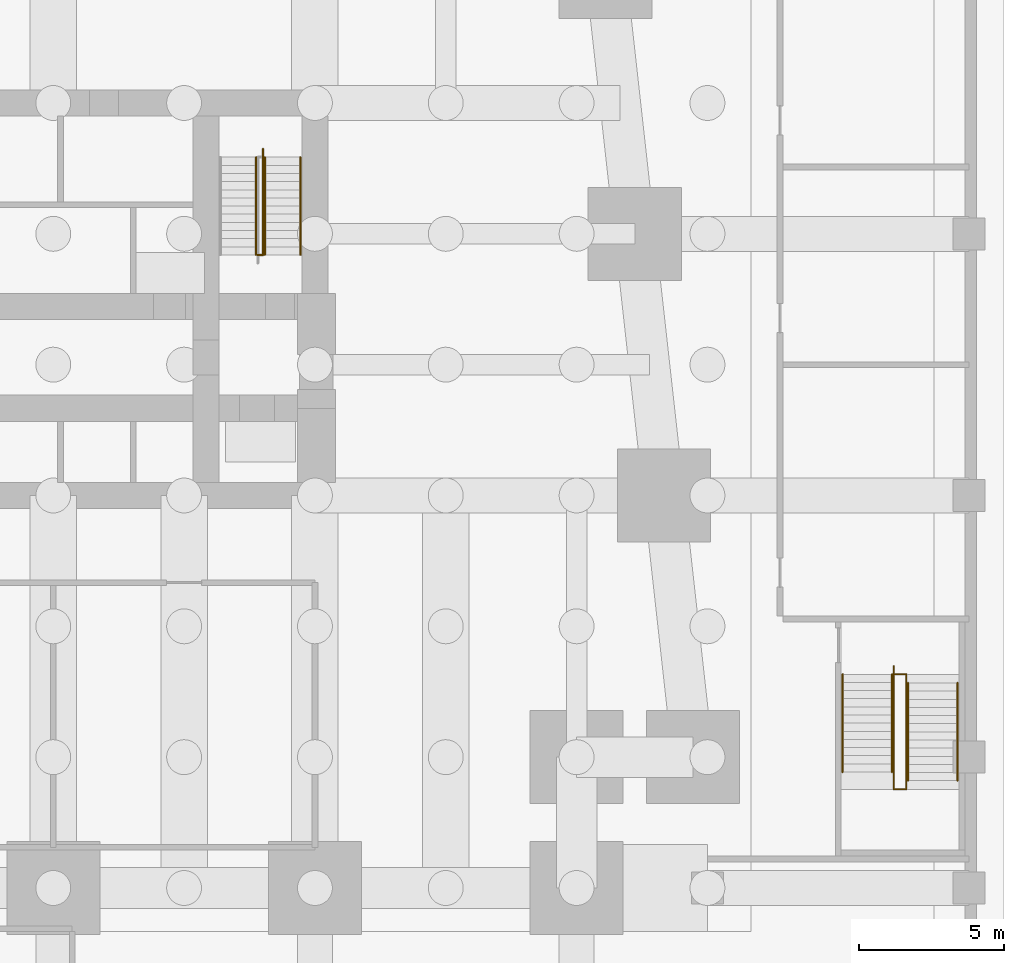
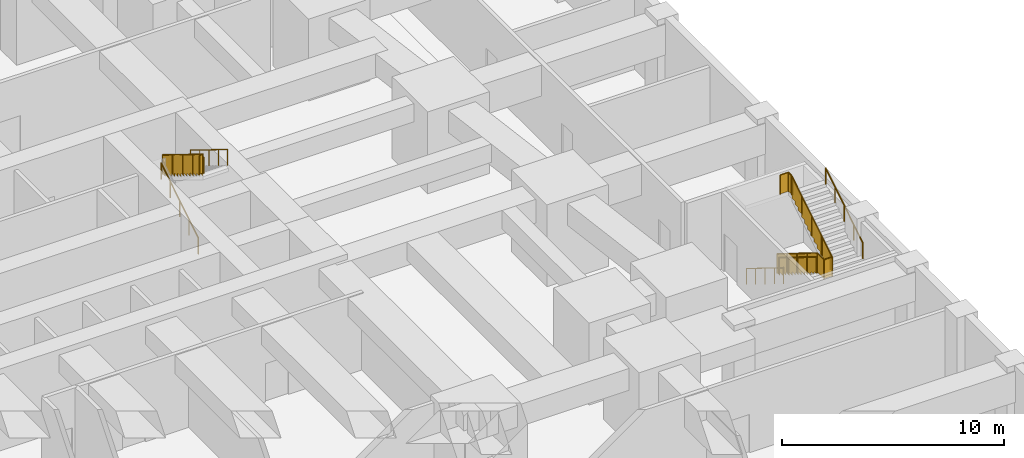
# One storey, part 8 of 9: 10 railings.
"""IFC4 building model written with IfcOpenShell, lengths in metres."""

from ifc_helpers import new_model, si_unit, direction, frame, origin, origin_2d, place, context, subcontext, project, spatial, polyline, circle, outline, extrude, material, type_object, element, save


model = new_model("IFC4")

# Units and contexts
model_context = context("Model", 3, precision=1e-05, world=origin(), true_north=direction((0.0, 1.0)))
body_context = subcontext(model_context, "Body", "Model", "MODEL_VIEW")
ifc_project = project(units=[si_unit("LENGTHUNIT", "METRE"), si_unit("AREAUNIT", "SQUARE_METRE"), si_unit("VOLUMEUNIT", "CUBIC_METRE"), si_unit("PLANEANGLEUNIT", "RADIAN"), si_unit("MASSUNIT", "GRAM", prefix="KILO")], contexts=[model_context])

# Site, building, storey
site_placement = place(None, origin())
site = spatial("IfcSite", under=ifc_project, at=site_placement, CompositionType="ELEMENT")
building_placement = place(site_placement, origin())
building = spatial("IfcBuilding", under=site, at=building_placement, Name="Kilele Tower Hotel", CompositionType="ELEMENT")
storey_placement = place(building_placement, frame((0.0, 0.0, -9.0)))
storey = spatial("IfcBuildingStorey", under=building, at=storey_placement, Name="B2", CompositionType="ELEMENT", Elevation=-9.0)

# Railings
ifc_material_1 = material(Name="Steel handrail", Category="steel")
railing_type_1 = type_object("IfcRailingType", Name="Handrail 900", PredefinedType="HANDRAIL", material=ifc_material_1)
railing_1_placement = place(storey_placement, frame((33.97509765625, 21.77490234375, 0.173095703125)))
element("IfcRailing", 1, at=railing_1_placement, inside=storey, type_object=railing_type_1, Name="Handrail ST2 flight 1", PredefinedType="HANDRAIL", context=body_context, shape_type="SweptSolid", body=[
    extrude(circle(Radius=0.02490234375, at=origin_2d()), frame((0.0, 0.0, 0.875), z_axis=(0.0, 0.850623216509, 0.525775754039), x_axis=(-1.0, 0.0, 0.0)), (0.0, 0.0, 1.0), 3.9501953125),
    extrude(circle(Radius=0.02001953125, at=origin_2d()), origin(), (0.0, 0.0, 1.0), 0.849853515625),
    extrude(circle(Radius=0.02001953125, at=origin_2d()), frame((0.0, 0.840087890625, 0.519287109375)), (0.0, 0.0, 1.0), 0.849853515625),
    extrude(circle(Radius=0.02001953125, at=origin_2d()), frame((0.0, 1.68017578125, 1.03857421875)), (0.0, 0.0, 1.0), 0.849853515625),
    extrude(circle(Radius=0.02001953125, at=origin_2d()), frame((0.0, 2.52001953125, 1.5576171875)), (0.0, 0.0, 1.0), 0.849853515625),
    extrude(circle(Radius=0.02001953125, at=origin_2d()), frame((0.0, 3.360107421875, 2.076904296875)), (0.0, 0.0, 1.0), 0.849853515625),
])
for number, where, name in (
    (2, (34.27490234375, 25.135009765625, 2.423095703125), "Handrail ST2 flight 2"),
    (3, (35.5, 25.135009765625, 2.423095703125), "Handrail ST2 flight 2"),
    (4, (54.14990234375, 7.35009765625, 0.173095703125), "Handrail ST5 flight 1"),
    (5, (55.85009765625, 7.35009765625, 0.173095703125), "Handrail ST5 flight 1"),
):
    element("IfcRailing", number, at=place(storey_placement, frame(where)), inside=storey, type_object=railing_type_1, Name=name, PredefinedType="HANDRAIL", context=body_context, shape_type="SweptSolid", body=[
        extrude(circle(Radius=0.02490234375, at=origin_2d()), frame((0.0, 0.0, 0.875), z_axis=(0.0, -0.850623216509, 0.525775754039), x_axis=(1.0, 0.0, 0.0)), (0.0, 0.0, 1.0), 3.9501953125),
        extrude(circle(Radius=0.02001953125, at=origin_2d()), origin(), (0.0, 0.0, 1.0), 0.849853515625),
        extrude(circle(Radius=0.02001953125, at=origin_2d()), frame((0.0, -0.840087890625, 0.519287109375)), (0.0, 0.0, 1.0), 0.849853515625),
        extrude(circle(Radius=0.02001953125, at=origin_2d()), frame((0.0, -1.68017578125, 1.03857421875)), (0.0, 0.0, 1.0), 0.849853515625),
        extrude(circle(Radius=0.02001953125, at=origin_2d()), frame((0.0, -2.52001953125, 1.5576171875)), (0.0, 0.0, 1.0), 0.849853515625),
        extrude(circle(Radius=0.02001953125, at=origin_2d()), frame((0.0, -3.360107421875, 2.076904296875)), (0.0, 0.0, 1.0), 0.849853515625),
    ])
for number, where, name in (
    (6, (56.39990234375, 3.68994140625, 2.423095703125), "Handrail ST5 flight 2"),
    (7, (58.10009765625, 3.68994140625, 2.423095703125), "Handrail ST5 flight 2"),
):
    element("IfcRailing", number, at=place(storey_placement, frame(where)), inside=storey, type_object=railing_type_1, Name=name, PredefinedType="HANDRAIL", context=body_context, shape_type="SweptSolid", body=[
        extrude(circle(Radius=0.02490234375, at=origin_2d()), frame((0.0, 0.0, 0.875), z_axis=(0.0, 0.850623216509, 0.525775754039), x_axis=(-1.0, 0.0, 0.0)), (0.0, 0.0, 1.0), 3.9501953125),
        extrude(circle(Radius=0.02001953125, at=origin_2d()), origin(), (0.0, 0.0, 1.0), 0.849853515625),
        extrude(circle(Radius=0.02001953125, at=origin_2d()), frame((0.0, 0.840087890625, 0.519287109375)), (0.0, 0.0, 1.0), 0.849853515625),
        extrude(circle(Radius=0.02001953125, at=origin_2d()), frame((0.0, 1.68017578125, 1.03857421875)), (0.0, 0.0, 1.0), 0.849853515625),
        extrude(circle(Radius=0.02001953125, at=origin_2d()), frame((0.0, 2.52001953125, 1.5576171875)), (0.0, 0.0, 1.0), 0.849853515625),
        extrude(circle(Radius=0.02001953125, at=origin_2d()), frame((0.0, 3.360107421875, 2.076904296875)), (0.0, 0.0, 1.0), 0.849853515625),
    ])
ifc_material_2 = material(Name="Steel guard", Category="steel")
railing_type_2 = type_object("IfcRailingType", Name="Stair guard 1100", PredefinedType="GUARDRAIL", material=ifc_material_2)
railing_2_placement = place(storey_placement, frame((34.215087890625, 25.4150390625, 2.25)))
element("IfcRailing", 8, at=railing_2_placement, inside=storey, type_object=railing_type_2, Name="Stair well guard ST2 flight 2", PredefinedType="GUARDRAIL", context=body_context, shape_type="SweptSolid", body=[
    extrude(circle(Radius=0.02490234375, at=origin_2d()), frame((0.0, 0.0, 1.0751953125), z_axis=(0.0, -0.850622404505, 0.525777067734), x_axis=(1.0, 0.0, 0.0)), (0.0, 0.0, 1.0), 4.279296875),
    extrude(circle(Radius=0.02490234375, at=origin_2d()), frame((0.0, -3.64013671875, 3.3251953125), z_axis=(-1.0, 0.0, 0.0), x_axis=(0.0, -1.0, 0.0)), (0.0, 0.0, 1.0), 0.18017578125),
    extrude(circle(Radius=0.02490234375, at=origin_2d()), origin(), (0.0, 0.0, 1.0), 1.050048828125),
    extrude(circle(Radius=0.02490234375, at=origin_2d()), frame((0.0, -0.91015625, 0.5625)), (0.0, 0.0, 1.0), 1.050048828125),
    extrude(circle(Radius=0.02490234375, at=origin_2d()), frame((0.0, -1.820068359375, 1.125)), (0.0, 0.0, 1.0), 1.050048828125),
    extrude(circle(Radius=0.02490234375, at=origin_2d()), frame((0.0, -2.72998046875, 1.6875)), (0.0, 0.0, 1.0), 1.050048828125),
    extrude(circle(Radius=0.02490234375, at=origin_2d()), frame((0.0, -3.64013671875, 2.25)), (0.0, 0.0, 1.0), 1.050048828125),
    extrude(circle(Radius=0.02490234375, at=origin_2d()), frame((-0.18017578125, -3.64013671875, 2.25)), (0.0, 0.0, 1.0), 1.050048828125),
    extrude(outline(polyline([(0.0, 0.030029296875), (0.25, 0.030029296875), (0.25, 0.203125), (0.530029296875, 0.203125), (0.530029296875, 0.376220703125), (0.81005859375, 0.376220703125), (0.81005859375, 0.54931640625), (1.090087890625, 0.54931640625), (1.090087890625, 0.722412109375), (1.3701171875, 0.722412109375), (1.3701171875, 0.8955078125), (1.650146484375, 0.8955078125), (1.650146484375, 1.068603515625), (1.929931640625, 1.068603515625), (1.929931640625, 1.241455078125), (2.2099609375, 1.241455078125), (2.2099609375, 1.41455078125), (2.489990234375, 1.41455078125), (2.489990234375, 1.587646484375), (2.77001953125, 1.587646484375), (2.77001953125, 1.7607421875), (3.050048828125, 1.7607421875), (3.050048828125, 1.933837890625), (3.330078125, 1.933837890625), (3.330078125, 2.10693359375), (3.610107421875, 2.10693359375), (3.610107421875, 2.280029296875), (3.627685546875, 2.280029296875), (3.627685546875, 3.287841796875), (0.0, 1.045654296875), (0.0, 0.030029296875)])), frame((0.005859375, 0.0, 0.0), z_axis=(-1.0, 0.0, 0.0), x_axis=(0.0, -1.0, 0.0)), (0.0, 0.0, 1.0), 0.011962890625),
    extrude(outline(polyline([(0.012451171875, 0.030029296875), (0.18017578125, 0.030029296875), (0.18017578125, 1.050048828125), (0.012451171875, 1.050048828125), (0.012451171875, 0.030029296875)])), frame((0.0, -3.64599609375, 2.25), z_axis=(0.0, 1.0, 0.0), x_axis=(-1.0, 0.0, 0.0)), (0.0, 0.0, 1.0), 0.011962890625),
])
railing_3_placement = place(storey_placement, frame((55.909912109375, 7.6298828125, 0.0)))
element("IfcRailing", 9, at=railing_3_placement, inside=storey, type_object=railing_type_2, Name="Stair well guard ST5 flight 1", PredefinedType="GUARDRAIL", context=body_context, shape_type="SweptSolid", body=[
    extrude(circle(Radius=0.02490234375, at=origin_2d()), frame((0.0, 0.0, 1.0751953125), z_axis=(0.0, -0.850606632239, 0.525802583857), x_axis=(1.0, 0.0, 0.0)), (0.0, 0.0, 1.0), 4.279052734375),
    extrude(circle(Radius=0.02490234375, at=origin_2d()), frame((0.0, -3.639892578125, 3.3251953125), z_axis=(0.0, -1.0, 0.0), x_axis=(1.0, 0.0, 0.0)), (0.0, 0.0, 1.0), 0.60009765625),
    extrude(circle(Radius=0.02490234375, at=origin_2d()), frame((0.0, -4.239990234375, 3.3251953125), z_axis=(1.0, 0.0, 0.0), x_axis=(0.0, 1.0, 0.0)), (0.0, 0.0, 1.0), 0.43017578125),
    extrude(circle(Radius=0.02490234375, at=origin_2d()), origin(), (0.0, 0.0, 1.0), 1.050048828125),
    extrude(circle(Radius=0.02490234375, at=origin_2d()), frame((0.0, -0.909912109375, 0.5625)), (0.0, 0.0, 1.0), 1.050048828125),
    extrude(circle(Radius=0.02490234375, at=origin_2d()), frame((0.0, -1.81982421875, 1.125)), (0.0, 0.0, 1.0), 1.050048828125),
    extrude(circle(Radius=0.02490234375, at=origin_2d()), frame((0.0, -2.72998046875, 1.6875)), (0.0, 0.0, 1.0), 1.050048828125),
    extrude(circle(Radius=0.02490234375, at=origin_2d()), frame((0.0, -3.639892578125, 2.25)), (0.0, 0.0, 1.0), 1.050048828125),
    extrude(circle(Radius=0.02490234375, at=origin_2d()), frame((0.0, -4.239990234375, 2.25)), (0.0, 0.0, 1.0), 1.050048828125),
    extrude(circle(Radius=0.02490234375, at=origin_2d()), frame((0.43017578125, -4.239990234375, 2.25)), (0.0, 0.0, 1.0), 1.050048828125),
    extrude(outline(polyline([(0.012451171875, 0.030029296875), (0.25, 0.030029296875), (0.25, 0.203125), (0.530029296875, 0.203125), (0.530029296875, 0.376220703125), (0.81005859375, 0.376220703125), (0.81005859375, 0.54931640625), (1.08984375, 0.54931640625), (1.08984375, 0.722412109375), (1.369873046875, 0.722412109375), (1.369873046875, 0.8955078125), (1.64990234375, 0.8955078125), (1.64990234375, 1.068603515625), (1.929931640625, 1.068603515625), (1.929931640625, 1.241455078125), (2.2099609375, 1.241455078125), (2.2099609375, 1.41455078125), (2.489990234375, 1.41455078125), (2.489990234375, 1.587646484375), (2.769775390625, 1.587646484375), (2.769775390625, 1.7607421875), (3.0498046875, 1.7607421875), (3.0498046875, 1.933837890625), (3.329833984375, 1.933837890625), (3.329833984375, 2.10693359375), (3.60986328125, 2.10693359375), (3.60986328125, 2.280029296875), (3.62744140625, 2.280029296875), (3.62744140625, 3.287841796875), (0.012451171875, 1.053466796875), (0.012451171875, 0.030029296875)])), frame((0.005859375, 0.0, 0.0), z_axis=(-1.0, 0.0, 0.0), x_axis=(0.0, -1.0, 0.0)), (0.0, 0.0, 1.0), 0.011962890625),
    extrude(outline(polyline([(0.012451171875, 0.030029296875), (0.587646484375, 0.030029296875), (0.587646484375, 1.050048828125), (0.012451171875, 1.050048828125), (0.012451171875, 0.030029296875)])), frame((0.005859375, -3.639892578125, 2.25), z_axis=(-1.0, 0.0, 0.0), x_axis=(0.0, -1.0, 0.0)), (0.0, 0.0, 1.0), 0.011962890625),
    extrude(outline(polyline([(0.012451171875, 0.030029296875), (0.43017578125, 0.030029296875), (0.43017578125, 1.050048828125), (0.012451171875, 1.050048828125), (0.012451171875, 0.030029296875)])), frame((0.0, -4.23388671875, 2.25), z_axis=(0.0, -1.0, 0.0), x_axis=(1.0, 0.0, 0.0)), (0.0, 0.0, 1.0), 0.011962890625),
])
railing_4_placement = place(storey_placement, frame((56.340087890625, 3.389892578125, 2.25)))
element("IfcRailing", 10, at=railing_4_placement, inside=storey, type_object=railing_type_2, Name="Stair well guard ST5 flight 2", PredefinedType="GUARDRAIL", context=body_context, shape_type="SweptSolid", body=[
    extrude(circle(Radius=0.02490234375, at=origin_2d()), frame((0.0, 0.0, 1.0751953125), z_axis=(0.0, 1.0, 0.0), x_axis=(-1.0, 0.0, 0.0)), (0.0, 0.0, 1.0), 0.02001953125),
    extrude(circle(Radius=0.02490234375, at=origin_2d()), frame((0.0, 0.02001953125, 1.0751953125), z_axis=(0.0, 0.850622404505, 0.525777067734), x_axis=(-1.0, 0.0, 0.0)), (0.0, 0.0, 1.0), 4.279296875),
    extrude(circle(Radius=0.02490234375, at=origin_2d()), frame((0.0, 3.66015625, 3.3251953125), z_axis=(0.0, 1.0, 0.0), x_axis=(-1.0, 0.0, 0.0)), (0.0, 0.0, 1.0), 0.300048828125),
    extrude(circle(Radius=0.02490234375, at=origin_2d()), frame((0.0, 3.960205078125, 3.3251953125), z_axis=(-1.0, 0.0, 0.0), x_axis=(0.0, -1.0, 0.0)), (0.0, 0.0, 1.0), 0.43017578125),
    extrude(circle(Radius=0.02490234375, at=origin_2d()), origin(), (0.0, 0.0, 1.0), 1.050048828125),
    extrude(circle(Radius=0.02490234375, at=origin_2d()), frame((0.0, 0.02001953125, 0.0)), (0.0, 0.0, 1.0), 1.050048828125),
    extrude(circle(Radius=0.02490234375, at=origin_2d()), frame((0.0, 0.93017578125, 0.5625)), (0.0, 0.0, 1.0), 1.050048828125),
    extrude(circle(Radius=0.02490234375, at=origin_2d()), frame((0.0, 1.840087890625, 1.125)), (0.0, 0.0, 1.0), 1.050048828125),
    extrude(circle(Radius=0.02490234375, at=origin_2d()), frame((0.0, 2.75, 1.6875)), (0.0, 0.0, 1.0), 1.050048828125),
    extrude(circle(Radius=0.02490234375, at=origin_2d()), frame((0.0, 3.66015625, 2.25)), (0.0, 0.0, 1.0), 1.050048828125),
    extrude(circle(Radius=0.02490234375, at=origin_2d()), frame((0.0, 3.960205078125, 2.25)), (0.0, 0.0, 1.0), 1.050048828125),
    extrude(circle(Radius=0.02490234375, at=origin_2d()), frame((-0.43017578125, 3.960205078125, 2.25)), (0.0, 0.0, 1.0), 1.050048828125),
    extrude(outline(polyline([(0.012451171875, 0.030029296875), (0.25, 0.030029296875), (0.25, 0.203125), (0.530029296875, 0.203125), (0.530029296875, 0.376220703125), (0.81005859375, 0.376220703125), (0.81005859375, 0.54931640625), (1.090087890625, 0.54931640625), (1.090087890625, 0.722412109375), (1.3701171875, 0.722412109375), (1.3701171875, 0.8955078125), (1.650146484375, 0.8955078125), (1.650146484375, 1.068603515625), (1.929931640625, 1.068603515625), (1.929931640625, 1.241455078125), (2.2099609375, 1.241455078125), (2.2099609375, 1.41455078125), (2.489990234375, 1.41455078125), (2.489990234375, 1.587646484375), (2.77001953125, 1.587646484375), (2.77001953125, 1.7607421875), (3.050048828125, 1.7607421875), (3.050048828125, 1.933837890625), (3.330078125, 1.933837890625), (3.330078125, 2.10693359375), (3.610107421875, 2.10693359375), (3.610107421875, 2.280029296875), (3.627685546875, 2.280029296875), (3.627685546875, 3.287841796875), (0.012451171875, 1.053466796875), (0.012451171875, 0.030029296875)])), frame((-0.005859375, 0.02001953125, 0.0), z_axis=(1.0, 0.0, 0.0), x_axis=(0.0, 1.0, 0.0)), (0.0, 0.0, 1.0), 0.011962890625),
    extrude(outline(polyline([(0.012451171875, 0.030029296875), (0.28759765625, 0.030029296875), (0.28759765625, 1.050048828125), (0.012451171875, 1.050048828125), (0.012451171875, 0.030029296875)])), frame((-0.005859375, 3.66015625, 2.25), z_axis=(1.0, 0.0, 0.0), x_axis=(0.0, 1.0, 0.0)), (0.0, 0.0, 1.0), 0.011962890625),
    extrude(outline(polyline([(0.012451171875, 0.030029296875), (0.43017578125, 0.030029296875), (0.43017578125, 1.050048828125), (0.012451171875, 1.050048828125), (0.012451171875, 0.030029296875)])), frame((0.0, 3.9541015625, 2.25), z_axis=(0.0, 1.0, 0.0), x_axis=(-1.0, 0.0, 0.0)), (0.0, 0.0, 1.0), 0.011962890625),
])

save(model, "model.ifc")
